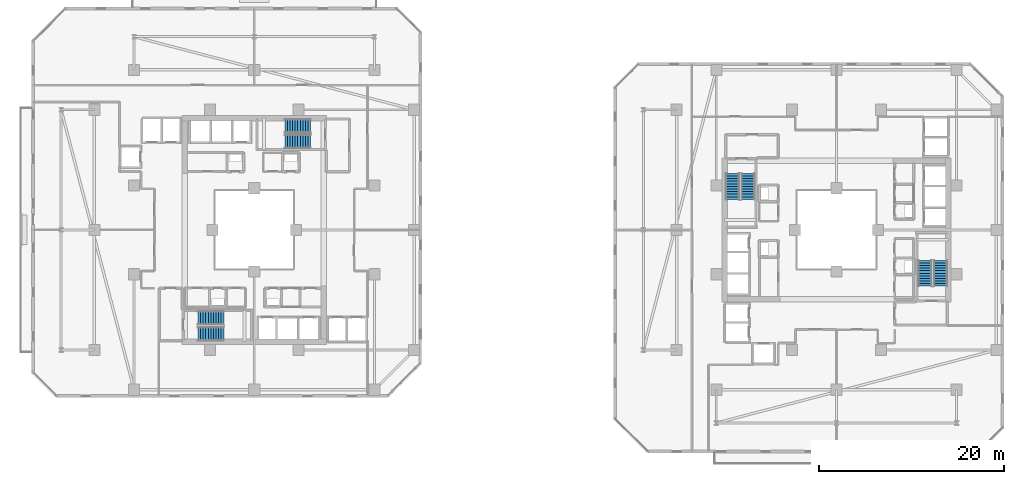
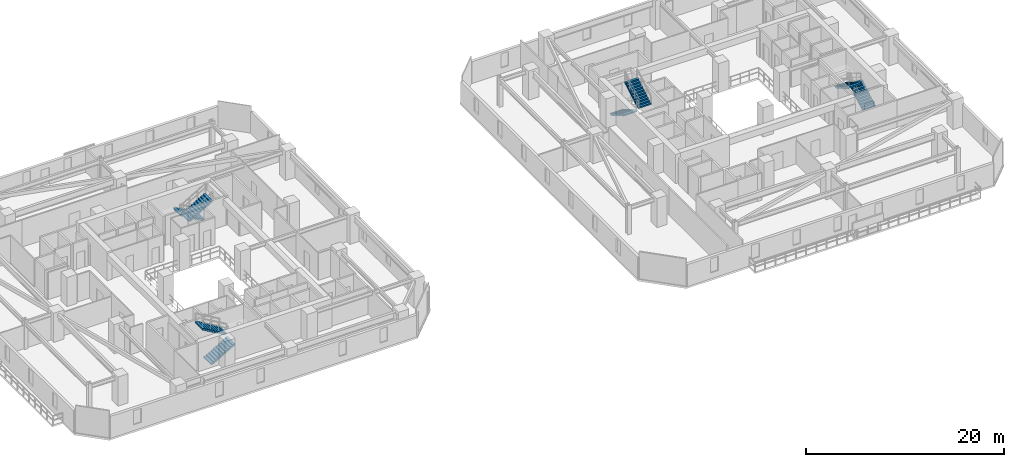
# One storey, part 27 of 33: 8 stair flights, 4 elements without a shape of their own.
"""IFC4 building model written with IfcOpenShell, lengths in metres."""

import ifcopenshell
import ifcopenshell.guid

model = None  # the IFC model being written
_history = None  # IfcOwnerHistory: only IFC2X3 demands one
_inside = {}  # id of a spatial element -> (the spatial element, [elements in it])
_under = {}  # id of a project, library or spatial element -> (it, [spatial elements below it])
_declared = {}  # id of a project -> (the project, [libraries it declares])
_typed = {}  # id of a type object -> (the type object, [elements of that type])
_made_of = {}  # id of a material, layer set ... -> (it, [elements and type objects made of it])


def new_model(schema):
    """Start an empty IFC model of exactly this schema.

    Asked for "IFC4X3", IfcOpenShell would pick the latest addendum, in which some entities
    have other attributes; the version numbers below select the first issue.
    IFC2X3 requires an IfcOwnerHistory on every rooted entity: one is made here for all.
    """
    global model, _history
    if schema == "IFC4X3":
        model = ifcopenshell.file(schema_version=(4, 3, 0, 0))
    else:
        model = ifcopenshell.file(schema=schema)
    _inside.clear()
    _under.clear()
    _declared.clear()
    _typed.clear()
    _made_of.clear()
    _history = None
    if model.schema == "IFC2X3":
        org = make("IfcOrganization", Name="unknown")
        user = make(
            "IfcPersonAndOrganization",
            ThePerson=make("IfcPerson", FamilyName="unknown"),
            TheOrganization=org,
        )
        app = make(
            "IfcApplication",
            ApplicationDeveloper=org,
            Version="unknown",
            ApplicationFullName="unknown",
            ApplicationIdentifier="unknown",
        )
        _history = make(
            "IfcOwnerHistory",
            OwningUser=user,
            OwningApplication=app,
            ChangeAction="ADDED",
            CreationDate=0,
        )
    return model


def make(cls, **values):
    """One entity of the class cls with the attributes given. An attribute that is None is left unset."""
    return model.create_entity(
        cls, **{name: value for name, value in values.items() if value is not None}
    )


def rooted(cls, **values):
    """An entity with a GlobalId (a new one), such as an element, a storey or a relation."""
    return make(cls, GlobalId=ifcopenshell.guid.new(), OwnerHistory=_history, **values)


def si_unit(unit_type, name, prefix=None):
    """IfcSIUnit, for example si_unit("LENGTHUNIT", "METRE", prefix="MILLI")."""
    return make("IfcSIUnit", UnitType=unit_type, Prefix=prefix, Name=name)


def assignment(units):
    """IfcUnitAssignment: the units of a project."""
    return None if units is None else make("IfcUnitAssignment", Units=units)


def point(xyz):
    """IfcCartesianPoint."""
    return None if xyz is None else make("IfcCartesianPoint", Coordinates=xyz)


def direction(xyz):
    """IfcDirection."""
    return None if xyz is None else make("IfcDirection", DirectionRatios=xyz)


def frame(location, z_axis=None, x_axis=None):
    """IfcAxis2Placement3D, a coordinate frame: its origin and axes. An axis left out is left unset."""
    return make(
        "IfcAxis2Placement3D",
        Location=point(location),
        Axis=direction(z_axis),
        RefDirection=direction(x_axis),
    )


def origin():
    """The frame at (0, 0, 0) with its axes left unset."""
    return frame((0.0, 0.0, 0.0))


def place(relative_to, where):
    """IfcLocalPlacement: puts the frame where relative to a parent placement (None: the world)."""
    return make(
        "IfcLocalPlacement", PlacementRelTo=relative_to, RelativePlacement=where
    )


def context(
    kind, dimensions, precision=None, world=None, true_north=None, identifier=None
):
    """IfcGeometricRepresentationContext, for example the 3D "Model" context."""
    return make(
        "IfcGeometricRepresentationContext",
        ContextIdentifier=identifier,
        ContextType=kind,
        CoordinateSpaceDimension=dimensions,
        Precision=precision,
        WorldCoordinateSystem=world,
        TrueNorth=true_north,
    )


def subcontext(parent, identifier, kind, view, scale=None):
    """IfcGeometricRepresentationSubContext, for example "Body" below "Model"."""
    return make(
        "IfcGeometricRepresentationSubContext",
        ContextIdentifier=identifier,
        ContextType=kind,
        ParentContext=parent,
        TargetScale=scale,
        TargetView=view,
    )


def project(units=None, contexts=None):
    """IfcProject with its units and contexts."""
    return rooted(
        "IfcProject",
        Name="project",
        RepresentationContexts=contexts,
        UnitsInContext=assignment(units),
    )


def spatial(cls, under=None, at=None, **own):
    """A site, building, storey or space (cls), placed at a placement, below another one or the project."""
    s = rooted(cls, ObjectPlacement=at, **own)
    if under is not None:
        _under.setdefault(under.id(), (under, []))[1].append(s)
    return s


def polyline(points):
    """IfcPolyline through the points."""
    return make("IfcPolyline", Points=[point(p) for p in points])


def outline(outer, holes=None, kind="AREA"):
    """IfcArbitraryClosedProfileDef: a profile drawn as a closed curve; with holes, ...WithVoids."""
    if holes is None:
        return make("IfcArbitraryClosedProfileDef", ProfileType=kind, OuterCurve=outer)
    return make(
        "IfcArbitraryProfileDefWithVoids",
        ProfileType=kind,
        OuterCurve=outer,
        InnerCurves=holes,
    )


def extrude(swept, where, along, depth):
    """IfcExtrudedAreaSolid: the profile swept, set in the frame where, extruded along a direction by depth."""
    return make(
        "IfcExtrudedAreaSolid",
        SweptArea=swept,
        Position=where,
        ExtrudedDirection=direction(along),
        Depth=depth,
    )


def shape(context_of_items, identifier, shape_type, items):
    """IfcShapeRepresentation: the items that make up one representation, for example the "Body"."""
    return make(
        "IfcShapeRepresentation",
        ContextOfItems=context_of_items,
        RepresentationIdentifier=identifier,
        RepresentationType=shape_type,
        Items=items,
    )


def material(Name=None, Category=None):
    """IfcMaterial."""
    return make("IfcMaterial", Name=Name, Category=Category)


def made_of(thing, what):
    """Note that an element or type object is made of a material, layer set ...; save() writes the relation."""
    if what is not None:
        _made_of.setdefault(what.id(), (what, []))[1].append(thing)
    return thing


def type_object(cls, material=None, **own):
    """A type object (cls), such as IfcWallType, which elements share."""
    return made_of(rooted(cls, **own), material)


def element(
    cls,
    number,
    at=None,
    inside=None,
    cuts=None,
    type_object=None,
    material=None,
    context=None,
    identifier="Body",
    shape_type=None,
    held_by="IfcProductDefinitionShape",
    body=None,
    shapes=None,
    **own,
):
    """One element of the class cls, such as IfcWall. Its Tag is "e" and its number.

    at: its placement. inside: the storey or other place that contains it. cuts: it is an
    opening in that element (IfcRelVoidsElement). A single representation is given by context,
    identifier, shape_type and body (its items); several are given by shapes. held_by: the class
    of the entity that holds the representations. save() writes the other relations.
    """
    e = rooted(cls, Tag="e%d" % number, ObjectPlacement=at, **own)
    if body is not None:
        shapes = [shape(context, identifier, shape_type, body)]
    if shapes is not None:
        e.Representation = make(held_by, Representations=shapes)
    if inside is not None:
        _inside.setdefault(inside.id(), (inside, []))[1].append(e)
    if cuts is not None:
        rooted(
            "IfcRelVoidsElement", RelatingBuildingElement=cuts, RelatedOpeningElement=e
        )
    if type_object is not None:
        _typed.setdefault(type_object.id(), (type_object, []))[1].append(e)
    return made_of(e, material)


def aggregate(whole, parts):
    """IfcRelAggregates: a whole, such as a stair, and the parts it consists of."""
    return rooted("IfcRelAggregates", RelatingObject=whole, RelatedObjects=parts)


def save(model, path):
    """Write the relations noted so far, then the file.

    IfcRelAggregates (storeys below a building ...), IfcRelContainedInSpatialStructure (elements
    in a storey), IfcRelDefinesByType, IfcRelAssociatesMaterial and IfcRelDeclares: one each for
    every whole, place, type object, material and project.
    """
    for whole, parts in _under.values():
        aggregate(whole, parts)
    for where, things in _inside.values():
        rooted(
            "IfcRelContainedInSpatialStructure",
            RelatedElements=things,
            RelatingStructure=where,
        )
    for kind, things in _typed.values():
        rooted("IfcRelDefinesByType", RelatedObjects=things, RelatingType=kind)
    for what, things in _made_of.values():
        rooted("IfcRelAssociatesMaterial", RelatedObjects=things, RelatingMaterial=what)
    for by, libraries in _declared.values():
        rooted("IfcRelDeclares", RelatingContext=by, RelatedDefinitions=libraries)
    model.write(path)


model = new_model("IFC4")

# Units and contexts
model_context = context("Model", 3, precision=1e-05, world=origin(), true_north=direction((0.0, 1.0)))
body_context = subcontext(model_context, "Body", "Model", "MODEL_VIEW")
ifc_project = project(units=[si_unit("LENGTHUNIT", "METRE"), si_unit("AREAUNIT", "SQUARE_METRE"), si_unit("VOLUMEUNIT", "CUBIC_METRE"), si_unit("PLANEANGLEUNIT", "RADIAN"), si_unit("MASSUNIT", "GRAM", prefix="KILO")], contexts=[model_context])

# Site, building, storey
site_placement = place(None, origin())
site = spatial("IfcSite", under=ifc_project, at=site_placement, CompositionType="ELEMENT")
building_placement = place(site_placement, origin())
building = spatial("IfcBuilding", under=site, at=building_placement, Name="Thornwick Lancets Civic Towers", CompositionType="ELEMENT")
storey_placement = place(building_placement, frame((0.0, 0.0, 105.300048828125)))
storey = spatial("IfcBuildingStorey", under=building, at=storey_placement, Name="L27", CompositionType="ELEMENT", Elevation=105.300048828125)

# Stair, stair flights
ifc_material = material(Name="Concrete C40/50", Category="concrete")
stair_type = type_object("IfcStairType", Name="STAIR_DL_3600", PredefinedType="HALF_TURN_STAIR", material=ifc_material)
stair_1_placement = place(storey_placement, origin())
stair_1 = element("IfcStair", 1, at=stair_1_placement, inside=storey, type_object=stair_type, Name="L27 Tower A South Exit Stair ST-A1", PredefinedType="HALF_TURN_STAIR")
stair_flight_type = type_object("IfcStairFlightType", Name="FLIGHT_3600", PredefinedType="STRAIGHT", material=ifc_material)
stair_flight_1_placement = place(storey_placement, frame((19.39990234375, 15.75, 0.0), z_axis=(0.0, 0.0, 1.0), x_axis=(1.0, 0.0, 0.0)))
stair_flight_1 = element("IfcStairFlight", 2, at=stair_flight_1_placement, type_object=stair_flight_type, Name="ST-A1 flight 1", NumberOfRisers=11, NumberOfTreads=10, PredefinedType="STRAIGHT", RiserHeight=0.163636364, TreadLength=0.28, context=body_context, shape_type="SweptSolid", body=[
    extrude(outline(polyline([(0.0, 0.0), (0.0, 0.16357421875), (0.280029296875, 0.16357421875), (0.280029296875, 0.327392578125), (0.56005859375, 0.327392578125), (0.56005859375, 0.490966796875), (0.840087890625, 0.490966796875), (0.840087890625, 0.654541015625), (1.1201171875, 0.654541015625), (1.1201171875, 0.818115234375), (1.39990234375, 0.818115234375), (1.39990234375, 0.98193359375), (1.679931640625, 0.98193359375), (1.679931640625, 1.1455078125), (1.9599609375, 1.1455078125), (1.9599609375, 1.30908203125), (2.239990234375, 1.30908203125), (2.239990234375, 1.47265625), (2.52001953125, 1.47265625), (2.52001953125, 1.636474609375), (2.800048828125, 1.636474609375), (2.800048828125, 1.800048828125), (2.800048828125, 1.462646484375), (0.297119140625, 0.0), (0.0, 0.0)])), frame((0.0, 0.75, 0.0), z_axis=(0.0, -1.0, 0.0), x_axis=(1.0, 0.0, 0.0)), (0.0, 0.0, 1.0), 1.5),
])
stair_flight_2_placement = place(storey_placement, frame((22.199951171875, 17.449951171875, 1.800048828125), z_axis=(0.0, 0.0, 1.0), x_axis=(-1.0, 0.0, 0.0)))
stair_flight_2 = element("IfcStairFlight", 3, at=stair_flight_2_placement, type_object=stair_flight_type, Name="ST-A1 flight 2", NumberOfRisers=11, NumberOfTreads=10, PredefinedType="STRAIGHT", RiserHeight=0.163636364, TreadLength=0.28, context=body_context, shape_type="SweptSolid", body=[
    extrude(outline(polyline([(0.0, 0.0), (0.0, 0.16357421875), (0.280029296875, 0.16357421875), (0.280029296875, 0.327392578125), (0.56005859375, 0.327392578125), (0.56005859375, 0.490966796875), (0.840087890625, 0.490966796875), (0.840087890625, 0.654541015625), (1.1201171875, 0.654541015625), (1.1201171875, 0.818115234375), (1.39990234375, 0.818115234375), (1.39990234375, 0.98193359375), (1.679931640625, 0.98193359375), (1.679931640625, 1.1455078125), (1.9599609375, 1.1455078125), (1.9599609375, 1.30908203125), (2.239990234375, 1.30908203125), (2.239990234375, 1.47265625), (2.52001953125, 1.47265625), (2.52001953125, 1.636474609375), (2.800048828125, 1.636474609375), (2.800048828125, 1.800048828125), (2.800048828125, 1.462646484375), (0.297119140625, 0.0), (0.0, 0.0)])), frame((0.0, 0.75, 0.0), z_axis=(0.0, -1.0, 0.0), x_axis=(1.0, 0.0, 0.0)), (0.0, 0.0, 1.0), 1.5),
])
aggregate(stair_1, [stair_flight_1, stair_flight_2])

stair_2_placement = place(storey_placement, origin())
stair_2 = element("IfcStair", 4, at=stair_2_placement, inside=storey, type_object=stair_type, Name="L27 Tower A North Exit Stair ST-A2", PredefinedType="HALF_TURN_STAIR")
stair_flight_3_placement = place(storey_placement, frame((31.60009765625, 38.25, 0.0), z_axis=(0.0, 0.0, 1.0), x_axis=(-1.0, 0.0, 0.0)))
stair_flight_3 = element("IfcStairFlight", 5, at=stair_flight_3_placement, type_object=stair_flight_type, Name="ST-A2 flight 1", NumberOfRisers=11, NumberOfTreads=10, PredefinedType="STRAIGHT", RiserHeight=0.163636364, TreadLength=0.28, context=body_context, shape_type="SweptSolid", body=[
    extrude(outline(polyline([(0.0, 0.0), (0.0, 0.16357421875), (0.280029296875, 0.16357421875), (0.280029296875, 0.327392578125), (0.56005859375, 0.327392578125), (0.56005859375, 0.490966796875), (0.840087890625, 0.490966796875), (0.840087890625, 0.654541015625), (1.1201171875, 0.654541015625), (1.1201171875, 0.818115234375), (1.39990234375, 0.818115234375), (1.39990234375, 0.98193359375), (1.679931640625, 0.98193359375), (1.679931640625, 1.1455078125), (1.9599609375, 1.1455078125), (1.9599609375, 1.30908203125), (2.239990234375, 1.30908203125), (2.239990234375, 1.47265625), (2.52001953125, 1.47265625), (2.52001953125, 1.636474609375), (2.800048828125, 1.636474609375), (2.800048828125, 1.800048828125), (2.800048828125, 1.462646484375), (0.297119140625, 0.0), (0.0, 0.0)])), frame((0.0, 0.75, 0.0), z_axis=(0.0, -1.0, 0.0), x_axis=(1.0, 0.0, 0.0)), (0.0, 0.0, 1.0), 1.5),
])
stair_flight_4_placement = place(storey_placement, frame((28.800048828125, 36.550048828125, 1.800048828125), z_axis=(0.0, 0.0, 1.0), x_axis=(1.0, 0.0, 0.0)))
stair_flight_4 = element("IfcStairFlight", 6, at=stair_flight_4_placement, type_object=stair_flight_type, Name="ST-A2 flight 2", NumberOfRisers=11, NumberOfTreads=10, PredefinedType="STRAIGHT", RiserHeight=0.163636364, TreadLength=0.28, context=body_context, shape_type="SweptSolid", body=[
    extrude(outline(polyline([(0.0, 0.0), (0.0, 0.16357421875), (0.280029296875, 0.16357421875), (0.280029296875, 0.327392578125), (0.56005859375, 0.327392578125), (0.56005859375, 0.490966796875), (0.840087890625, 0.490966796875), (0.840087890625, 0.654541015625), (1.1201171875, 0.654541015625), (1.1201171875, 0.818115234375), (1.39990234375, 0.818115234375), (1.39990234375, 0.98193359375), (1.679931640625, 0.98193359375), (1.679931640625, 1.1455078125), (1.9599609375, 1.1455078125), (1.9599609375, 1.30908203125), (2.239990234375, 1.30908203125), (2.239990234375, 1.47265625), (2.52001953125, 1.47265625), (2.52001953125, 1.636474609375), (2.800048828125, 1.636474609375), (2.800048828125, 1.800048828125), (2.800048828125, 1.462646484375), (0.297119140625, 0.0), (0.0, 0.0)])), frame((0.0, 0.75, 0.0), z_axis=(0.0, -1.0, 0.0), x_axis=(1.0, 0.0, 0.0)), (0.0, 0.0, 1.0), 1.5),
])
aggregate(stair_2, [stair_flight_3, stair_flight_4])

stair_3_placement = place(storey_placement, origin())
stair_3 = element("IfcStair", 7, at=stair_3_placement, inside=storey, type_object=stair_type, Name="L27 Tower B East Exit Stair ST-B1", PredefinedType="HALF_TURN_STAIR")
stair_flight_5_placement = place(storey_placement, frame((99.75, 20.89990234375, 0.0), z_axis=(0.0, 0.0, 1.0), x_axis=(0.0, 1.0, 0.0)))
stair_flight_5 = element("IfcStairFlight", 8, at=stair_flight_5_placement, type_object=stair_flight_type, Name="ST-B1 flight 1", NumberOfRisers=11, NumberOfTreads=10, PredefinedType="STRAIGHT", RiserHeight=0.163636364, TreadLength=0.28, context=body_context, shape_type="SweptSolid", body=[
    extrude(outline(polyline([(0.0, 0.0), (0.0, 0.16357421875), (0.280029296875, 0.16357421875), (0.280029296875, 0.327392578125), (0.56005859375, 0.327392578125), (0.56005859375, 0.490966796875), (0.840087890625, 0.490966796875), (0.840087890625, 0.654541015625), (1.1201171875, 0.654541015625), (1.1201171875, 0.818115234375), (1.39990234375, 0.818115234375), (1.39990234375, 0.98193359375), (1.679931640625, 0.98193359375), (1.679931640625, 1.1455078125), (1.9599609375, 1.1455078125), (1.9599609375, 1.30908203125), (2.239990234375, 1.30908203125), (2.239990234375, 1.47265625), (2.52001953125, 1.47265625), (2.52001953125, 1.636474609375), (2.800048828125, 1.636474609375), (2.800048828125, 1.800048828125), (2.800048828125, 1.462646484375), (0.297119140625, 0.0), (0.0, 0.0)])), frame((0.0, 0.75, 0.0), z_axis=(0.0, -1.0, 0.0), x_axis=(1.0, 0.0, 0.0)), (0.0, 0.0, 1.0), 1.5),
])
stair_flight_6_placement = place(storey_placement, frame((98.050048828125, 23.699951171875, 1.800048828125), z_axis=(0.0, 0.0, 1.0), x_axis=(0.0, -1.0, 0.0)))
stair_flight_6 = element("IfcStairFlight", 9, at=stair_flight_6_placement, type_object=stair_flight_type, Name="ST-B1 flight 2", NumberOfRisers=11, NumberOfTreads=10, PredefinedType="STRAIGHT", RiserHeight=0.163636364, TreadLength=0.28, context=body_context, shape_type="SweptSolid", body=[
    extrude(outline(polyline([(0.0, 0.0), (0.0, 0.16357421875), (0.280029296875, 0.16357421875), (0.280029296875, 0.327392578125), (0.56005859375, 0.327392578125), (0.56005859375, 0.490966796875), (0.840087890625, 0.490966796875), (0.840087890625, 0.654541015625), (1.1201171875, 0.654541015625), (1.1201171875, 0.818115234375), (1.39990234375, 0.818115234375), (1.39990234375, 0.98193359375), (1.679931640625, 0.98193359375), (1.679931640625, 1.1455078125), (1.9599609375, 1.1455078125), (1.9599609375, 1.30908203125), (2.239990234375, 1.30908203125), (2.239990234375, 1.47265625), (2.52001953125, 1.47265625), (2.52001953125, 1.636474609375), (2.800048828125, 1.636474609375), (2.800048828125, 1.800048828125), (2.800048828125, 1.462646484375), (0.297119140625, 0.0), (0.0, 0.0)])), frame((0.0, 0.75, 0.0), z_axis=(0.0, -1.0, 0.0), x_axis=(1.0, 0.0, 0.0)), (0.0, 0.0, 1.0), 1.5),
])
aggregate(stair_3, [stair_flight_5, stair_flight_6])

stair_4_placement = place(storey_placement, origin())
stair_4 = element("IfcStair", 10, at=stair_4_placement, inside=storey, type_object=stair_type, Name="L27 Tower B West Exit Stair ST-B2", PredefinedType="HALF_TURN_STAIR")
stair_flight_7_placement = place(storey_placement, frame((77.25, 33.10009765625, 0.0), z_axis=(0.0, 0.0, 1.0), x_axis=(0.0, -1.0, 0.0)))
stair_flight_7 = element("IfcStairFlight", 11, at=stair_flight_7_placement, type_object=stair_flight_type, Name="ST-B2 flight 1", NumberOfRisers=11, NumberOfTreads=10, PredefinedType="STRAIGHT", RiserHeight=0.163636364, TreadLength=0.28, context=body_context, shape_type="SweptSolid", body=[
    extrude(outline(polyline([(0.0, 0.0), (0.0, 0.16357421875), (0.280029296875, 0.16357421875), (0.280029296875, 0.327392578125), (0.56005859375, 0.327392578125), (0.56005859375, 0.490966796875), (0.840087890625, 0.490966796875), (0.840087890625, 0.654541015625), (1.1201171875, 0.654541015625), (1.1201171875, 0.818115234375), (1.39990234375, 0.818115234375), (1.39990234375, 0.98193359375), (1.679931640625, 0.98193359375), (1.679931640625, 1.1455078125), (1.9599609375, 1.1455078125), (1.9599609375, 1.30908203125), (2.239990234375, 1.30908203125), (2.239990234375, 1.47265625), (2.52001953125, 1.47265625), (2.52001953125, 1.636474609375), (2.800048828125, 1.636474609375), (2.800048828125, 1.800048828125), (2.800048828125, 1.462646484375), (0.297119140625, 0.0), (0.0, 0.0)])), frame((0.0, 0.75, 0.0), z_axis=(0.0, -1.0, 0.0), x_axis=(1.0, 0.0, 0.0)), (0.0, 0.0, 1.0), 1.5),
])
stair_flight_8_placement = place(storey_placement, frame((78.949951171875, 30.300048828125, 1.800048828125), z_axis=(0.0, 0.0, 1.0), x_axis=(0.0, 1.0, 0.0)))
stair_flight_8 = element("IfcStairFlight", 12, at=stair_flight_8_placement, type_object=stair_flight_type, Name="ST-B2 flight 2", NumberOfRisers=11, NumberOfTreads=10, PredefinedType="STRAIGHT", RiserHeight=0.163636364, TreadLength=0.28, context=body_context, shape_type="SweptSolid", body=[
    extrude(outline(polyline([(0.0, 0.0), (0.0, 0.16357421875), (0.280029296875, 0.16357421875), (0.280029296875, 0.327392578125), (0.56005859375, 0.327392578125), (0.56005859375, 0.490966796875), (0.840087890625, 0.490966796875), (0.840087890625, 0.654541015625), (1.1201171875, 0.654541015625), (1.1201171875, 0.818115234375), (1.39990234375, 0.818115234375), (1.39990234375, 0.98193359375), (1.679931640625, 0.98193359375), (1.679931640625, 1.1455078125), (1.9599609375, 1.1455078125), (1.9599609375, 1.30908203125), (2.239990234375, 1.30908203125), (2.239990234375, 1.47265625), (2.52001953125, 1.47265625), (2.52001953125, 1.636474609375), (2.800048828125, 1.636474609375), (2.800048828125, 1.800048828125), (2.800048828125, 1.462646484375), (0.297119140625, 0.0), (0.0, 0.0)])), frame((0.0, 0.75, 0.0), z_axis=(0.0, -1.0, 0.0), x_axis=(1.0, 0.0, 0.0)), (0.0, 0.0, 1.0), 1.5),
])
aggregate(stair_4, [stair_flight_7, stair_flight_8])

save(model, "model.ifc")
